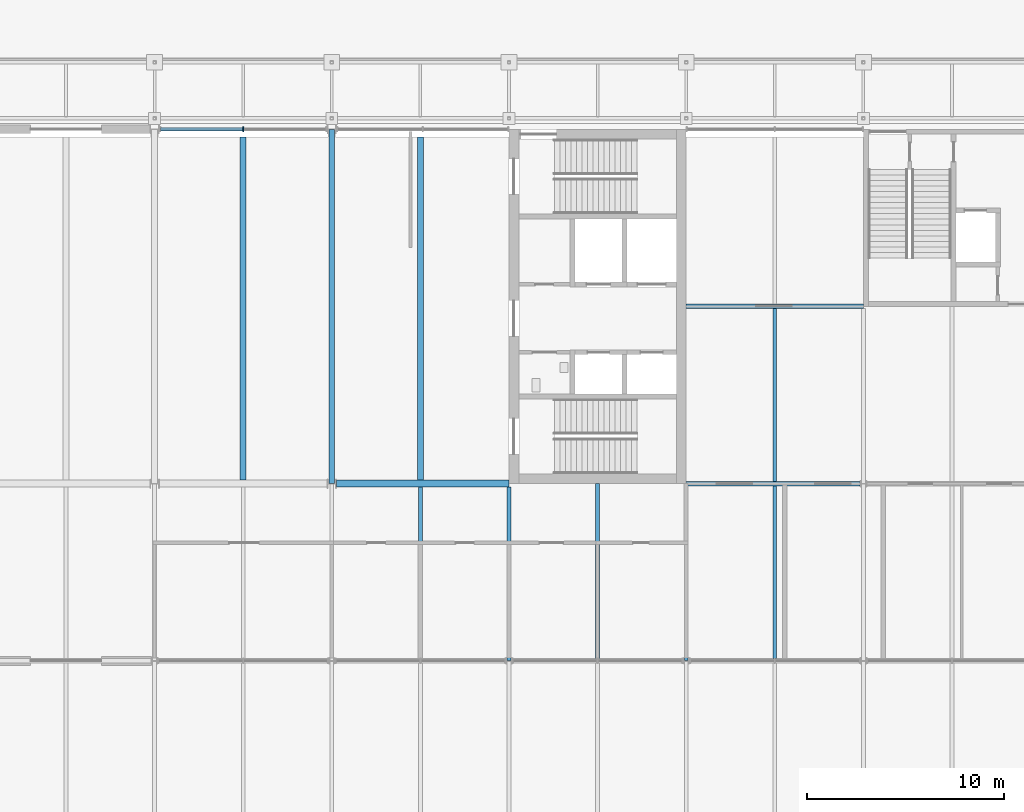
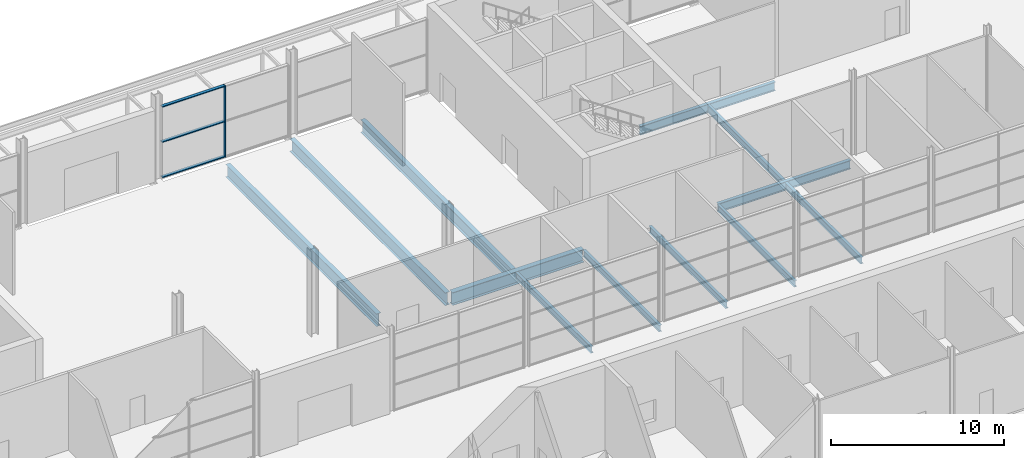
# One storey, part 42 of 97: 12 beams, 4 members, 1 element without a shape of its own.
"""IFC4 building model written with IfcOpenShell, lengths in metres."""

from ifc_helpers import new_model, si_unit, direction, frame, origin, origin_2d, place, context, subcontext, project, spatial, rectangle, i_section, extrude, material, layer, layer_set, material_profile, profile_set, type_object, element, aggregate, save


model = new_model("IFC4")

# Units and contexts
model_context = context("Model", 3, precision=1e-05, world=origin(), true_north=direction((0.0, 1.0)))
body_context = subcontext(model_context, "Body", "Model", "MODEL_VIEW")
ifc_project = project(units=[si_unit("LENGTHUNIT", "METRE"), si_unit("AREAUNIT", "SQUARE_METRE"), si_unit("VOLUMEUNIT", "CUBIC_METRE"), si_unit("PLANEANGLEUNIT", "RADIAN"), si_unit("MASSUNIT", "GRAM", prefix="KILO")], contexts=[model_context])

# Site, building, storey
site_placement = place(None, origin())
site = spatial("IfcSite", under=ifc_project, at=site_placement, CompositionType="ELEMENT")
building_placement = place(site_placement, origin())
building = spatial("IfcBuilding", under=site, at=building_placement, Name="Corbel Yard City Hall", CompositionType="ELEMENT")
storey_placement = place(building_placement, origin())
storey = spatial("IfcBuildingStorey", under=building, at=storey_placement, Name="L00", CompositionType="ELEMENT", Elevation=0.0)

# Beams
ifc_material_1 = material(Name="Steel Grade 300 (300 MPa yield)", Category="steel")
ifc_material_profile_1 = material_profile(ifc_material_1, i_section(OverallWidth=0.19091796875, OverallDepth=0.4599609375, WebThickness=0.010009765625, FlangeThickness=0.01611328125, at=origin_2d()), Name="460UB82.1")
ifc_profile_set_1 = profile_set([ifc_material_profile_1], Name="Steel Grade 300 (300 MPa yield)")
beam_type_1 = type_object("IfcBeamType", Name="Beam 460UB82.1", PredefinedType="BEAM", material=ifc_profile_set_1)
beam_1_placement = place(storey_placement, frame((45.0, 90.0078125, -0.47998046875), z_axis=(0.0, 1.0, 0.0), x_axis=(-1.0, 0.0, 0.0)))
element("IfcBeam", 1, at=beam_1_placement, inside=storey, type_object=beam_type_1, Name="Beam 460UB82.1 SB2 L00deck", PredefinedType="BEAM", context=body_context, shape_type="SweptSolid", body=[
    extrude(i_section(OverallWidth=0.19091796875, OverallDepth=0.4599609375, WebThickness=0.010009765625, FlangeThickness=0.01611328125, at=origin_2d()), origin(), (0.0, 0.0, 1.0), 8.817138671875),
])
beam_2_placement = place(storey_placement, frame((54.0, 90.0078125, -0.47998046875), z_axis=(0.0, 1.0, 0.0), x_axis=(-1.0, 0.0, 0.0)))
element("IfcBeam", 2, at=beam_2_placement, inside=storey, type_object=beam_type_1, Name="Beam 460UB82.1 SB2 L00deck", PredefinedType="BEAM", context=body_context, shape_type="SweptSolid", body=[
    extrude(i_section(OverallWidth=0.19091796875, OverallDepth=0.4599609375, WebThickness=0.010009765625, FlangeThickness=0.01611328125, at=origin_2d()), origin(), (0.0, 0.0, 1.0), 8.877685546875),
])
ifc_material_profile_2 = material_profile(ifc_material_1, i_section(OverallWidth=0.22900390625, OverallDepth=0.612060546875, WebThickness=0.011962890625, FlangeThickness=0.01953125, at=origin_2d()), Name="610UB125")
ifc_profile_set_2 = profile_set([ifc_material_profile_2], Name="Steel Grade 300 (300 MPa yield)")
beam_type_2 = type_object("IfcBeamType", Name="Girder 610UB125", PredefinedType="BEAM", material=ifc_profile_set_2)
beam_3_placement = place(storey_placement, frame((54.0, 99.0, -0.555908203125), z_axis=(1.0, 0.0, 0.0), x_axis=(0.0, 1.0, 0.0)))
element("IfcBeam", 3, at=beam_3_placement, inside=storey, type_object=beam_type_2, Name="Girder 610UB125 GB1 L00deck", PredefinedType="BEAM", context=body_context, shape_type="SweptSolid", body=[
    extrude(i_section(OverallWidth=0.22900390625, OverallDepth=0.612060546875, WebThickness=0.011962890625, FlangeThickness=0.01953125, at=origin_2d()), origin(), (0.0, 0.0, 1.0), 8.83642578125),
])
beam_4_placement = place(storey_placement, frame((54.0, 108.0, -0.555908203125), z_axis=(1.0, 0.0, 0.0), x_axis=(0.0, 1.0, 0.0)))
element("IfcBeam", 4, at=beam_4_placement, inside=storey, type_object=beam_type_2, Name="Girder 610UB125 GB1 L00deck", PredefinedType="BEAM", context=body_context, shape_type="SweptSolid", body=[
    extrude(i_section(OverallWidth=0.22900390625, OverallDepth=0.612060546875, WebThickness=0.011962890625, FlangeThickness=0.01953125, at=origin_2d()), origin(), (0.0, 0.0, 1.0), 9.0),
])
ifc_material_2 = material(Name="Steel Grade 350", Category="steel")
ifc_material_profile_3 = material_profile(ifc_material_2, i_section(OverallWidth=0.35009765625, OverallDepth=0.909912109375, WebThickness=0.011962890625, FlangeThickness=0.02490234375, at=origin_2d()), Name="900WB218")
ifc_profile_set_3 = profile_set([ifc_material_profile_3], Name="Steel Grade 350")
beam_type_3 = type_object("IfcBeamType", Name="Girder 900WB218", PredefinedType="BEAM", material=ifc_profile_set_3)
beam_5_placement = place(storey_placement, frame((36.239990234375, 99.0, -0.705078125), z_axis=(1.0, 0.0, 0.0), x_axis=(0.0, 1.0, 0.0)))
element("IfcBeam", 5, at=beam_5_placement, inside=storey, type_object=beam_type_3, Name="Girder 900WB218 GB2 L00deck", PredefinedType="BEAM", context=body_context, shape_type="SweptSolid", body=[
    extrude(i_section(OverallWidth=0.35009765625, OverallDepth=0.909912109375, WebThickness=0.011962890625, FlangeThickness=0.02490234375, at=origin_2d()), origin(), (0.0, 0.0, 1.0), 8.760009765625),
])
ifc_material_profile_4 = material_profile(ifc_material_2, i_section(OverallWidth=0.300048828125, OverallDepth=0.89990234375, WebThickness=0.011962890625, FlangeThickness=0.02001953125, at=origin_2d()), Name="900WB175")
ifc_profile_set_4 = profile_set([ifc_material_profile_4], Name="Steel Grade 350")
beam_type_4 = type_object("IfcBeamType", Name="Long-span beam 900WB175", PredefinedType="BEAM", material=ifc_profile_set_4)
beam_6_placement = place(storey_placement, frame((36.0, 99.02001953125, -0.699951171875), z_axis=(0.0, 1.0, 0.0), x_axis=(-1.0, 0.0, 0.0)))
element("IfcBeam", 6, at=beam_6_placement, inside=storey, type_object=beam_type_4, Name="Long-span beam 900WB175 SB4 L00deck", PredefinedType="BEAM", context=body_context, shape_type="SweptSolid", body=[
    extrude(i_section(OverallWidth=0.300048828125, OverallDepth=0.89990234375, WebThickness=0.011962890625, FlangeThickness=0.02001953125, at=origin_2d()), origin(), (0.0, 0.0, 1.0), 17.9599609375),
])
ifc_material_profile_5 = material_profile(ifc_material_2, i_section(OverallWidth=0.300048828125, OverallDepth=0.89990234375, WebThickness=0.011962890625, FlangeThickness=0.02001953125, at=origin_2d()), Name="900WB175")
ifc_profile_set_5 = profile_set([ifc_material_profile_5], Name="Steel Grade 350")
beam_type_5 = type_object("IfcBeamType", Name="Long-span secondary beam 900WB175", PredefinedType="JOIST", material=ifc_profile_set_5)
for number, where, z_axis, x_axis, name in (
    (7, (31.5, 99.175048828125, -0.699951171875), (0.0, 1.0, 0.0), (-1.0, 0.0, 0.0), "Long-span secondary beam 900WB175 SB3 L00deck"),
    (8, (40.5, 99.175048828125, -0.699951171875), (0.0, 1.0, 0.0), (-1.0, 0.0, 0.0), "Long-span secondary beam 900WB175 SB3 L00deck"),
):
    element("IfcBeam", number, at=place(storey_placement, frame(where, z_axis=z_axis, x_axis=x_axis)), inside=storey, type_object=beam_type_5, Name=name, PredefinedType="JOIST", context=body_context, shape_type="SweptSolid", body=[
        extrude(i_section(OverallWidth=0.300048828125, OverallDepth=0.89990234375, WebThickness=0.011962890625, FlangeThickness=0.02001953125, at=origin_2d()), origin(), (0.0, 0.0, 1.0), 17.425048828125),
    ])

# Curtain wall, member
ifc_material_3 = material(Name="Aluminium extrusion", Category="aluminium")
ifc_layer = layer(ifc_material_3, 0.25)
ifc_layer_set = layer_set([ifc_layer], Name="Aluminium extrusion")
curtain_wall_type = type_object("IfcCurtainWallType", Name="CW4", PredefinedType="USERDEFINED", material=ifc_layer_set)
curtain_wall_placement = place(storey_placement, origin())
curtain_wall = element("IfcCurtainWall", 9, at=curtain_wall_placement, inside=storey, type_object=curtain_wall_type, Name="Curtain wall CW4 L00", ObjectType="CURTAIN WALL", PredefinedType="USERDEFINED")
ifc_material_profile_6 = material_profile(ifc_material_3, rectangle(XDim=0.25, YDim=0.06494140625, at=origin_2d()), Name="250x65")
ifc_profile_set_6 = profile_set([ifc_material_profile_6], Name="Aluminium extrusion")
member_type_1 = type_object("IfcMemberType", Name="ML4", PredefinedType="MULLION", material=ifc_profile_set_6)
member_1_placement = place(storey_placement, frame((31.5, 117.0, 0.0), z_axis=(0.0, 0.0, 1.0), x_axis=(0.0, 1.0, 0.0)))
member_1 = element("IfcMember", 10, at=member_1_placement, type_object=member_type_1, Name="CW4 mullion 2", PredefinedType="MULLION", context=body_context, shape_type="SweptSolid", body=[
    extrude(rectangle(XDim=0.25, YDim=0.06494140625, at=origin_2d()), origin(), (0.0, 0.0, 1.0), 5.0400390625),
])

# Beams
ifc_material_profile_7 = material_profile(ifc_material_1, i_section(OverallWidth=0.19091796875, OverallDepth=0.4599609375, WebThickness=0.010009765625, FlangeThickness=0.01611328125, at=origin_2d()), Name="460UB82.1")
ifc_profile_set_7 = profile_set([ifc_material_profile_7], Name="Steel Grade 300 (300 MPa yield)")
beam_type_6 = type_object("IfcBeamType", Name="Secondary beam 460UB82.1", PredefinedType="JOIST", material=ifc_profile_set_7)
beam_7_placement = place(storey_placement, frame((40.5, 90.114501953125, -0.47998046875), z_axis=(0.0, 1.0, 0.0), x_axis=(-1.0, 0.0, 0.0)))
element("IfcBeam", 11, at=beam_7_placement, inside=storey, type_object=beam_type_6, Name="Secondary beam 460UB82.1 SB1 L00deck", PredefinedType="JOIST", context=body_context, shape_type="SweptSolid", body=[
    extrude(i_section(OverallWidth=0.19091796875, OverallDepth=0.4599609375, WebThickness=0.010009765625, FlangeThickness=0.01611328125, at=origin_2d()), origin(), (0.0, 0.0, 1.0), 8.71044921875),
])
beam_8_placement = place(storey_placement, frame((49.5, 90.114501953125, -0.47998046875), z_axis=(0.0, 1.0, 0.0), x_axis=(-1.0, 0.0, 0.0)))
element("IfcBeam", 12, at=beam_8_placement, inside=storey, type_object=beam_type_6, Name="Secondary beam 460UB82.1 SB1 L00deck", PredefinedType="JOIST", context=body_context, shape_type="SweptSolid", body=[
    extrude(i_section(OverallWidth=0.19091796875, OverallDepth=0.4599609375, WebThickness=0.010009765625, FlangeThickness=0.01611328125, at=origin_2d()), origin(), (0.0, 0.0, 1.0), 8.885498046875),
])
for number, where, z_axis, x_axis, name in (
    (13, (58.5, 90.114501953125, -0.47998046875), (0.0, 1.0, 0.0), (-1.0, 0.0, 0.0), "Secondary beam 460UB82.1 SB1 L00deck"),
    (14, (58.5, 99.114501953125, -0.47998046875), (0.0, 1.0, 0.0), (-1.0, 0.0, 0.0), "Secondary beam 460UB82.1 SB1 L00deck"),
):
    element("IfcBeam", number, at=place(storey_placement, frame(where, z_axis=z_axis, x_axis=x_axis)), inside=storey, type_object=beam_type_6, Name=name, PredefinedType="JOIST", context=body_context, shape_type="SweptSolid", body=[
        extrude(i_section(OverallWidth=0.19091796875, OverallDepth=0.4599609375, WebThickness=0.010009765625, FlangeThickness=0.01611328125, at=origin_2d()), origin(), (0.0, 0.0, 1.0), 8.77099609375),
    ])

# Member
ifc_material_profile_8 = material_profile(ifc_material_3, rectangle(XDim=0.199951171875, YDim=0.06494140625, at=origin_2d()), Name="200x65")
ifc_profile_set_8 = profile_set([ifc_material_profile_8], Name="Aluminium extrusion")
member_type_2 = type_object("IfcMemberType", Name="TR4", PredefinedType="USERDEFINED", material=ifc_profile_set_8)
member_2_placement = place(storey_placement, frame((27.304931640625, 117.0, 0.032470703125), z_axis=(1.0, 0.0, 0.0), x_axis=(0.0, 1.0, 0.0)))
member_2 = element("IfcMember", 15, at=member_2_placement, type_object=member_type_2, Name="CW4 transom 1.1", ObjectType="TRANSOM", PredefinedType="USERDEFINED", context=body_context, shape_type="SweptSolid", body=[
    extrude(rectangle(XDim=0.199951171875, YDim=0.06494140625, at=origin_2d()), origin(), (0.0, 0.0, 1.0), 4.16259765625),
])

member_3_placement = place(storey_placement, frame((27.304931640625, 117.0, 2.52001953125), z_axis=(1.0, 0.0, 0.0), x_axis=(0.0, 1.0, 0.0)))
member_3 = element("IfcMember", 16, at=member_3_placement, type_object=member_type_2, Name="CW4 transom 1.2", ObjectType="TRANSOM", PredefinedType="USERDEFINED", context=body_context, shape_type="SweptSolid", body=[
    extrude(rectangle(XDim=0.199951171875, YDim=0.06494140625, at=origin_2d()), origin(), (0.0, 0.0, 1.0), 4.16259765625),
])

member_4_placement = place(storey_placement, frame((27.304931640625, 117.0, 5.007568359375), z_axis=(1.0, 0.0, 0.0), x_axis=(0.0, 1.0, 0.0)))
member_4 = element("IfcMember", 17, at=member_4_placement, type_object=member_type_2, Name="CW4 transom 1.3", ObjectType="TRANSOM", PredefinedType="USERDEFINED", context=body_context, shape_type="SweptSolid", body=[
    extrude(rectangle(XDim=0.199951171875, YDim=0.06494140625, at=origin_2d()), origin(), (0.0, 0.0, 1.0), 4.16259765625),
])

aggregate(curtain_wall, [member_1, member_2, member_3, member_4])

save(model, "model.ifc")
